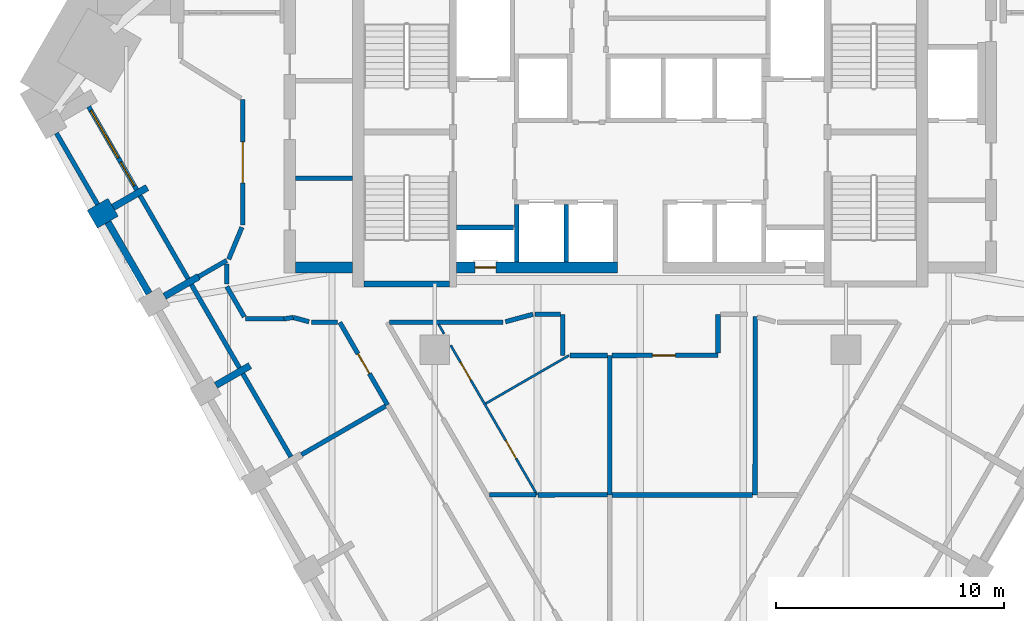
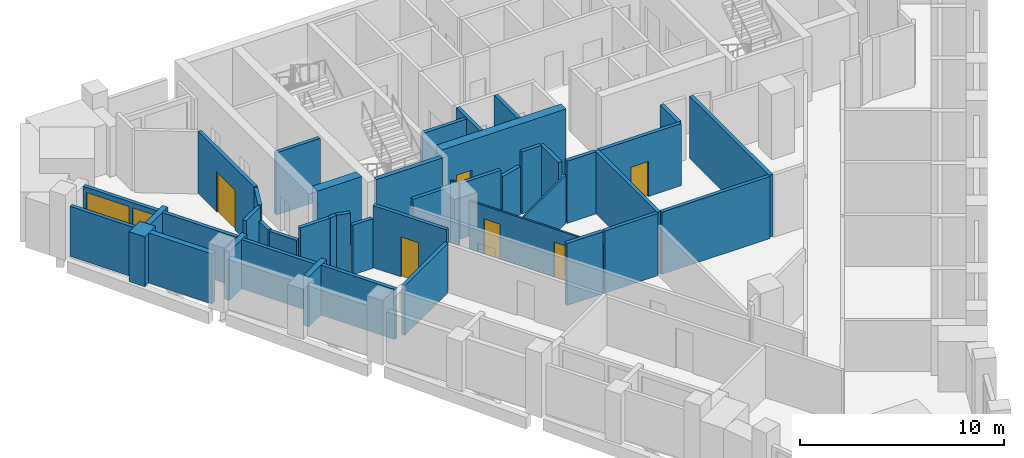
# One storey, part 4 of 9: 43 walls, 7 doors, 1 window, 8 openings.
"""IFC4 building model written with IfcOpenShell, lengths in metres."""

from ifc_helpers import new_model, si_unit, direction, frame, frame_2d, origin, place, context, subcontext, project, spatial, rectangle, extrude, material, layer, layer_set, type_object, element, fill, save


model = new_model("IFC4")

# Units and contexts
model_context = context("Model", 3, precision=1e-05, world=origin(), true_north=direction((0.0, 1.0)))
body_context = subcontext(model_context, "Body", "Model", "MODEL_VIEW")
ifc_project = project(units=[si_unit("LENGTHUNIT", "METRE"), si_unit("AREAUNIT", "SQUARE_METRE"), si_unit("VOLUMEUNIT", "CUBIC_METRE"), si_unit("PLANEANGLEUNIT", "RADIAN"), si_unit("MASSUNIT", "GRAM", prefix="KILO")], contexts=[model_context])

# Site, building, storey
site_placement = place(None, origin())
site = spatial("IfcSite", under=ifc_project, at=site_placement, CompositionType="ELEMENT")
building_placement = place(site_placement, origin())
building = spatial("IfcBuilding", under=site, at=building_placement, Name="Calabash Gate Tower", CompositionType="ELEMENT")
storey_placement = place(building_placement, frame((0.0, 0.0, 156.300048828125)))
storey = spatial("IfcBuildingStorey", under=building, at=storey_placement, Name="L36", CompositionType="ELEMENT", Elevation=156.300048828125)

# Walls
ifc_material_1 = material(Name="Terracotta brick masonry, exposed face", Category="masonry")
ifc_layer_1 = layer(ifc_material_1, 1.050048828125)
ifc_layer_set_1 = layer_set([ifc_layer_1], Name="Brick end wall 1050")
wall_type_1 = type_object("IfcWallType", Name="Brick end wall 1050", PredefinedType="SOLIDWALL", material=ifc_layer_set_1)
wall_1_placement = place(storey_placement, frame((-23.07470703125, 8.737060546875, 0.0), z_axis=(0.0, 0.0, 1.0), x_axis=(-0.86592997719, -0.500165247297, 0.0)))
element("IfcWall", 1, at=wall_1_placement, inside=storey, type_object=wall_type_1, Name="Brick pier S10 SW0.1", PredefinedType="SOLIDWALL", context=body_context, shape_type="SweptSolid", body=[
    extrude(rectangle(XDim=1.050048828125, YDim=0.89990234375, at=frame_2d((0.52490234375, 0.0))), origin(), (0.0, 0.0, 1.0), 3.0),
])
ifc_material_2 = material(Name="Terracotta brick masonry, exposed face", Category="masonry")
ifc_layer_2 = layer(ifc_material_2, 0.300048828125)
ifc_layer_set_2 = layer_set([ifc_layer_2], Name="Brick infill panel wall 300")
wall_type_2 = type_object("IfcWallType", Name="Brick infill panel wall 300", PredefinedType="SOLIDWALL", material=ifc_layer_set_2)
wall_2_placement = place(storey_placement, frame((-23.30419921875, 8.084716796875, 0.0), z_axis=(0.0, 0.0, 1.0), x_axis=(0.499961193289, -0.866047807691, 0.0)))
element("IfcWall", 2, at=wall_2_placement, inside=storey, type_object=wall_type_2, Name="Brick panel S10 SW0.2", PredefinedType="SOLIDWALL", context=body_context, shape_type="SweptSolid", body=[
    extrude(rectangle(XDim=3.599853515625, YDim=0.300048828125, at=frame_2d((1.7998046875, 0.0))), origin(), (0.0, 0.0, 1.0), 3.0),
])
ifc_material_3 = material(Name="Terracotta brick masonry, exposed face", Category="masonry")
ifc_layer_3 = layer(ifc_material_3, 0.300048828125)
ifc_layer_set_3 = layer_set([ifc_layer_3], Name="Brick loggia cheek wall 300")
wall_type_3 = type_object("IfcWallType", Name="Brick loggia cheek wall 300", PredefinedType="SOLIDWALL", material=ifc_layer_set_3)
wall_3_placement = place(storey_placement, frame((-23.07470703125, 8.737060546875, 0.0), z_axis=(0.0, 0.0, 1.0), x_axis=(0.866013532718, 0.500020560727, 0.0)))
element("IfcWall", 3, at=wall_3_placement, inside=storey, type_object=wall_type_3, Name="Loggia cheek S10 SW0.1", PredefinedType="SOLIDWALL", context=body_context, shape_type="SweptSolid", body=[
    extrude(rectangle(XDim=1.72509765625, YDim=0.300048828125, at=frame_2d((0.862548828125, 0.0))), origin(), (0.0, 0.0, 1.0), 3.0),
])
wall_4_placement = place(storey_placement, frame((-19.330810546875, 5.702392578125, 0.0), z_axis=(0.0, 0.0, 1.0), x_axis=(-0.86597814115, -0.500081852351, 0.0)))
element("IfcWall", 4, at=wall_4_placement, inside=storey, type_object=wall_type_3, Name="Loggia cheek S10 SW0.2", PredefinedType="SOLIDWALL", context=body_context, shape_type="SweptSolid", body=[
    extrude(rectangle(XDim=1.724853515625, YDim=0.300048828125, at=frame_2d((0.8623046875, 0.0))), origin(), (0.0, 0.0, 1.0), 2.949951171875),
])
wall_5_placement = place(storey_placement, frame((-18.57470703125, 0.94287109375, 0.0), z_axis=(0.0, 0.0, 1.0), x_axis=(0.866074815912, 0.499914405916, 0.0)))
element("IfcWall", 5, at=wall_5_placement, inside=storey, type_object=wall_type_3, Name="Loggia cheek S10 SW0.3", PredefinedType="SOLIDWALL", context=body_context, shape_type="SweptSolid", body=[
    extrude(rectangle(XDim=1.724853515625, YDim=0.300048828125, at=frame_2d((0.8623046875, 0.0))), origin(), (0.0, 0.0, 1.0), 3.0),
])
ifc_material_4 = material(Name="Gypsum board on steel studs, mineral wool", Category="steel")
ifc_layer_4 = layer(ifc_material_4, 0.199951171875)
ifc_layer_set_4 = layer_set([ifc_layer_4], Name="Core partition 200 gypsum board")
wall_type_4 = type_object("IfcWallType", Name="Core partition 200 gypsum board", PredefinedType="PARTITIONING", material=ifc_layer_set_4)
wall_6_placement = place(storey_placement, frame((-15.10009765625, 10.0126953125, 0.0), z_axis=(0.0, 0.0, 1.0), x_axis=(1.0, 0.0, 0.0)))
element("IfcWall", 6, at=wall_6_placement, inside=storey, type_object=wall_type_4, Name="Core partition", PredefinedType="PARTITIONING", context=body_context, shape_type="SweptSolid", body=[
    extrude(rectangle(XDim=2.5, YDim=0.199951171875, at=frame_2d((1.25, 0.0))), origin(), (0.0, 0.0, 1.0), 3.72998046875),
])
ifc_material_5 = material(Name="Concrete C70/85", Category="concrete")
ifc_layer_5 = layer(ifc_material_5, 0.25)
ifc_layer_set_5 = layer_set([ifc_layer_5], Name="Core wall 250 Concrete C70/85")
wall_type_5 = type_object("IfcWallType", Name="Core wall 250 Concrete C70/85", PredefinedType="SHEAR", material=ifc_layer_set_5)
wall_7_placement = place(storey_placement, frame((-12.10009765625, 5.377685546875, 0.0), z_axis=(0.0, 0.0, 1.0), x_axis=(1.0, 0.0, 0.0)))
element("IfcWall", 7, at=wall_7_placement, inside=storey, type_object=wall_type_5, Name="Core wall Z3-SSW L36", PredefinedType="SHEAR", context=body_context, shape_type="SweptSolid", body=[
    extrude(rectangle(XDim=3.75, YDim=0.25, at=frame_2d((1.875, 0.0))), origin(), (0.0, 0.0, 1.0), 3.89990234375),
])

# Wall, opening, door
ifc_material_6 = material(Name="Concrete C70/85", Category="concrete")
ifc_layer_6 = layer(ifc_material_6, 0.5)
ifc_layer_set_6 = layer_set([ifc_layer_6], Name="Core wall 500 Concrete C70/85")
wall_type_6 = type_object("IfcWallType", Name="Core wall 500 Concrete C70/85", PredefinedType="SHEAR", material=ifc_layer_set_6)
wall_8_placement = place(storey_placement, frame((-8.050048828125, 6.1025390625, 0.0), z_axis=(0.0, 0.0, 1.0), x_axis=(1.0, 0.0, 0.0)))
wall_8 = element("IfcWall", 8, at=wall_8_placement, inside=storey, type_object=wall_type_6, Name="Core wall Z3-SA L36", PredefinedType="SHEAR", context=body_context, shape_type="SweptSolid", body=[
    extrude(rectangle(XDim=7.050048828125, YDim=0.5, at=frame_2d((3.52490234375, 0.0))), origin(), (0.0, 0.0, 1.0), 3.89990234375),
])
opening_1_placement = place(wall_8_placement, frame((0.824951171875, 0.0, 0.0)))
opening_1 = element("IfcOpeningElement", 9, at=opening_1_placement, cuts=wall_8, Name="Opening O2-014", PredefinedType="OPENING", context=body_context, shape_type="SweptSolid", body=[
    extrude(rectangle(XDim=0.89990234375, YDim=2.10009765625, at=frame_2d((0.449951171875, 1.050048828125))), frame((0.0, 0.260009765625, 0.0), z_axis=(0.0, -1.0, 0.0), x_axis=(1.0, 0.0, 0.0)), (0.0, 0.0, 1.0), 0.52001953125),
])
ifc_material_7 = material(Name="Steel fire door set with fire-resisting glazing", Category="steel")
door_type_1 = type_object("IfcDoorType", Name="Fire door D07 900x2100 FD90", OperationType="NOTDEFINED", PredefinedType="DOOR", material=ifc_material_7)
door_1_placement = place(opening_1_placement, origin())
door_1 = element("IfcDoor", 10, at=door_1_placement, inside=storey, type_object=door_type_1, Name="Electrical Riser W door", OperationType="SINGLE_SWING_LEFT", OverallHeight=2.10009765625, OverallWidth=0.89990234375, PredefinedType="DOOR", context=body_context, shape_type="SweptSolid", body=[
    extrude(rectangle(XDim=0.89990234375, YDim=2.10009765625, at=frame_2d((0.449951171875, 1.050048828125))), frame((0.0, 0.02490234375, 0.0), z_axis=(0.0, -1.0, 0.0), x_axis=(1.0, 0.0, 0.0)), (0.0, 0.0, 1.0), 0.050048828125),
])
fill(opening_1, door_1)

# Walls
wall_9_placement = place(storey_placement, frame((-12.60009765625, 6.1025390625, 0.0), z_axis=(0.0, 0.0, 1.0), x_axis=(-1.0, 0.0, 0.0)))
element("IfcWall", 11, at=wall_9_placement, inside=storey, type_object=wall_type_6, Name="Core wall Z3-SW L36", PredefinedType="SHEAR", context=body_context, shape_type="SweptSolid", body=[
    extrude(rectangle(XDim=2.5, YDim=0.5, at=frame_2d((1.25, 0.0))), origin(), (0.0, 0.0, 1.0), 3.89990234375),
])
ifc_material_8 = material(Name="Gypsum board on steel studs, mineral wool", Category="steel")
ifc_layer_7 = layer(ifc_material_8, 0.10009765625)
ifc_layer_set_7 = layer_set([ifc_layer_7], Name="Partition 100 gypsum board")
wall_type_7 = type_object("IfcWallType", Name="Partition 100 gypsum board", PredefinedType="PARTITIONING", material=ifc_layer_set_7)
wall_10_placement = place(storey_placement, frame((-6.76708984375, 0.145263671875, 0.0), z_axis=(0.0, 0.0, 1.0), x_axis=(0.865929781716, 0.500165585718, 0.0)))
element("IfcWall", 12, at=wall_10_placement, inside=storey, type_object=wall_type_7, Name="Partition", PredefinedType="PARTITIONING", context=body_context, shape_type="SweptSolid", body=[
    extrude(rectangle(XDim=4.21240234375, YDim=0.10009765625, at=frame_2d((2.106201171875, 0.0))), origin(), (0.0, 0.0, 1.0), 2.884033203125),
])

# Wall, openings, doors
wall_11_placement = place(storey_placement, frame((-8.300048828125, 2.697021484375, 0.0), z_axis=(0.0, 0.0, 1.0), x_axis=(0.500524865803, -0.86572216023, 0.0)))
wall_11 = element("IfcWall", 13, at=wall_11_placement, inside=storey, type_object=wall_type_7, Name="Partition", PredefinedType="PARTITIONING", context=body_context, shape_type="SweptSolid", body=[
    extrude(rectangle(XDim=7.566162109375, YDim=0.10009765625, at=frame_2d((3.783203125, 0.0))), origin(), (0.0, 0.0, 1.0), 2.884033203125),
])
opening_2_placement = place(wall_11_placement, frame((0.858154296875, 0.0, 0.0)))
opening_2 = element("IfcOpeningElement", 14, at=opening_2_placement, cuts=wall_11, Name="Opening 36-38-017", PredefinedType="OPENING", context=body_context, shape_type="SweptSolid", body=[
    extrude(rectangle(XDim=0.89990234375, YDim=2.10009765625, at=frame_2d((0.449951171875, 1.050048828125))), frame((0.0, 0.06005859375, 0.0), z_axis=(0.0, -1.0, 0.0), x_axis=(1.0, 0.0, 0.0)), (0.0, 0.0, 1.0), 0.1201171875),
])
opening_3_placement = place(wall_11_placement, frame((4.8203125, 0.0, 0.0)))
opening_3 = element("IfcOpeningElement", 15, at=opening_3_placement, cuts=wall_11, Name="Opening 36-38-018", PredefinedType="OPENING", context=body_context, shape_type="SweptSolid", body=[
    extrude(rectangle(XDim=0.89990234375, YDim=2.10009765625, at=frame_2d((0.449951171875, 1.050048828125))), frame((0.0, 0.06005859375, 0.0), z_axis=(0.0, -1.0, 0.0), x_axis=(1.0, 0.0, 0.0)), (0.0, 0.0, 1.0), 0.1201171875),
])
ifc_material_9 = material(Name="Painted timber door", Category="wood")
door_type_2 = type_object("IfcDoorType", Name="WD1 WC door 900x2100", OperationType="NOTDEFINED", PredefinedType="DOOR", material=ifc_material_9)
door_2_placement = place(opening_2_placement, origin())
door_2 = element("IfcDoor", 16, at=door_2_placement, inside=storey, type_object=door_type_2, Name="WC door", OperationType="SINGLE_SWING_LEFT", OverallHeight=2.10009765625, OverallWidth=0.89990234375, PredefinedType="DOOR", context=body_context, shape_type="SweptSolid", body=[
    extrude(rectangle(XDim=0.89990234375, YDim=2.10009765625, at=frame_2d((0.449951171875, 1.050048828125))), frame((0.0, 0.02490234375, 0.0), z_axis=(0.0, -1.0, 0.0), x_axis=(1.0, 0.0, 0.0)), (0.0, 0.0, 1.0), 0.050048828125),
])
fill(opening_2, door_2)
door_3_placement = place(opening_3_placement, origin())
door_3 = element("IfcDoor", 17, at=door_3_placement, inside=storey, type_object=door_type_2, Name="WC door", OperationType="SINGLE_SWING_RIGHT", OverallHeight=2.10009765625, OverallWidth=0.89990234375, PredefinedType="DOOR", context=body_context, shape_type="SweptSolid", body=[
    extrude(rectangle(XDim=0.89990234375, YDim=2.10009765625, at=frame_2d((0.449951171875, 1.050048828125))), frame((0.0, 0.02490234375, 0.0), z_axis=(0.0, -1.0, 0.0), x_axis=(1.0, 0.0, 0.0)), (0.0, 0.0, 1.0), 0.050048828125),
])
fill(opening_3, door_3)

# Walls
wall_12_placement = place(storey_placement, frame((-8.8271484375, 3.613037109375, 0.0), z_axis=(0.0, 0.0, 1.0), x_axis=(0.497353240991, -0.867548127585, 0.0)))
element("IfcWall", 18, at=wall_12_placement, inside=storey, type_object=wall_type_7, Name="Partition", PredefinedType="PARTITIONING", context=body_context, shape_type="SweptSolid", body=[
    extrude(rectangle(XDim=0.47607421875, YDim=0.10009765625, at=frame_2d((0.238037109375, 0.0))), origin(), (0.0, 0.0, 1.0), 3.72998046875),
])
ifc_material_10 = material(Name="Gypsum board on steel studs, mineral wool", Category="steel")
ifc_layer_8 = layer(ifc_material_10, 0.199951171875)
ifc_layer_set_8 = layer_set([ifc_layer_8], Name="Partition 200 gypsum board EI 60")
wall_type_8 = type_object("IfcWallType", Name="Partition 200 gypsum board EI 60", PredefinedType="PARTITIONING", material=ifc_layer_set_8)
wall_13_placement = place(storey_placement, frame((-4.466796875, -3.85546875, 0.0), z_axis=(0.0, 0.0, 1.0), x_axis=(0.999999841097, 0.000563743166, 0.0)))
element("IfcWall", 19, at=wall_13_placement, inside=storey, type_object=wall_type_8, Name="Partition", PredefinedType="PARTITIONING", context=body_context, shape_type="SweptSolid", body=[
    extrude(rectangle(XDim=3.031494140625, YDim=0.199951171875, at=frame_2d((1.515625, 0.0))), origin(), (0.0, 0.0, 1.0), 3.72998046875),
])
wall_14_placement = place(storey_placement, frame((-1.231689453125, -3.857421875, 0.0), z_axis=(0.0, 0.0, 1.0), x_axis=(0.999999961423, 0.000277766745, 0.0)))
element("IfcWall", 20, at=wall_14_placement, inside=storey, type_object=wall_type_8, Name="Partition", PredefinedType="PARTITIONING", context=body_context, shape_type="SweptSolid", body=[
    extrude(rectangle(XDim=6.152587890625, YDim=0.199951171875, at=frame_2d((3.076171875, 0.0))), origin(), (0.0, 0.0, 1.0), 3.72998046875),
])
wall_15_placement = place(storey_placement, frame((-6.609619140625, -3.85400390625, 0.0), z_axis=(0.0, 0.0, 1.0), x_axis=(0.999999992849, 0.000119588614, 0.0)))
element("IfcWall", 21, at=wall_15_placement, inside=storey, type_object=wall_type_8, Name="Partition", PredefinedType="PARTITIONING", context=body_context, shape_type="SweptSolid", body=[
    extrude(rectangle(XDim=2.04150390625, YDim=0.199951171875, at=frame_2d((1.020751953125, 0.0))), origin(), (0.0, 0.0, 1.0), 3.72998046875),
])
wall_16_placement = place(storey_placement, frame((-1.33544921875, -3.853759765625, 0.0), z_axis=(0.0, 0.0, 1.0), x_axis=(0.0, 1.0, 0.0)))
element("IfcWall", 22, at=wall_16_placement, inside=storey, type_object=wall_type_8, Name="Partition", PredefinedType="PARTITIONING", context=body_context, shape_type="SweptSolid", body=[
    extrude(rectangle(XDim=6.104248046875, YDim=0.199951171875, at=frame_2d((3.05224609375, 0.0))), origin(), (0.0, 0.0, 1.0), 3.72998046875),
])
wall_17_placement = place(storey_placement, frame((-14.8310546875, -2.09130859375, 0.0), z_axis=(0.0, 0.0, 1.0), x_axis=(0.865857330643, 0.500290998291, 0.0)))
element("IfcWall", 23, at=wall_17_placement, inside=storey, type_object=wall_type_8, Name="Partition", PredefinedType="PARTITIONING", context=body_context, shape_type="SweptSolid", body=[
    extrude(rectangle(XDim=4.24951171875, YDim=0.199951171875, at=frame_2d((2.124755859375, 0.0))), origin(), (0.0, 0.0, 1.0), 2.973388671875),
])

# Wall, opening, door
wall_18_placement = place(storey_placement, frame((-13.152099609375, 3.699462890625, 0.0), z_axis=(0.0, 0.0, 1.0), x_axis=(0.499717391966, -0.866188506139, 0.0)))
wall_18 = element("IfcWall", 24, at=wall_18_placement, inside=storey, type_object=wall_type_8, Name="Partition", PredefinedType="PARTITIONING", context=body_context, shape_type="SweptSolid", body=[
    extrude(rectangle(XDim=4.17578125, YDim=0.199951171875, at=frame_2d((2.087890625, 0.0))), origin(), (0.0, 0.0, 1.0), 3.72998046875),
])
opening_4_placement = place(wall_18_placement, frame((1.587890625, 0.0, 0.0)))
opening_4 = element("IfcOpeningElement", 25, at=opening_4_placement, cuts=wall_18, Name="Opening 36-38-012", PredefinedType="OPENING", context=body_context, shape_type="SweptSolid", body=[
    extrude(rectangle(XDim=1.0, YDim=2.39990234375, at=frame_2d((0.5, 1.199951171875))), frame((0.0, 0.10986328125, 0.0), z_axis=(0.0, -1.0, 0.0), x_axis=(1.0, 0.0, 0.0)), (0.0, 0.0, 1.0), 0.219970703125),
])
ifc_material_11 = material(Name="Painted timber door", Category="wood")
door_type_3 = type_object("IfcDoorType", Name="OD2 Glazed office door 1000x2400", OperationType="NOTDEFINED", PredefinedType="DOOR", material=ifc_material_11)
door_4_placement = place(opening_4_placement, origin())
door_4 = element("IfcDoor", 26, at=door_4_placement, inside=storey, type_object=door_type_3, Name="Glazed office door", OperationType="SINGLE_SWING_RIGHT", OverallHeight=2.39990234375, OverallWidth=1.0, PredefinedType="DOOR", context=body_context, shape_type="SweptSolid", body=[
    extrude(rectangle(XDim=1.0, YDim=2.39990234375, at=frame_2d((0.5, 1.199951171875))), frame((0.0, 0.02490234375, 0.0), z_axis=(0.0, -1.0, 0.0), x_axis=(1.0, 0.0, 0.0)), (0.0, 0.0, 1.0), 0.050048828125),
])
fill(opening_4, door_4)

# Walls
wall_19_placement = place(storey_placement, frame((-3.402099609375, 4.050537109375, 0.0), z_axis=(0.0, 0.0, 1.0), x_axis=(0.001086217961, -0.999999410065, 0.0)))
element("IfcWall", 27, at=wall_19_placement, inside=storey, type_object=wall_type_8, Name="Partition", PredefinedType="PARTITIONING", context=body_context, shape_type="SweptSolid", body=[
    extrude(rectangle(XDim=1.798095703125, YDim=0.199951171875, at=frame_2d((0.89892578125, 0.0))), origin(), (0.0, 0.0, 1.0), 3.72998046875),
])
wall_20_placement = place(storey_placement, frame((-3.07421875, 2.25048828125, 0.0), z_axis=(0.0, 0.0, 1.0), x_axis=(1.0, 0.0, 0.0)))
element("IfcWall", 28, at=wall_20_placement, inside=storey, type_object=wall_type_8, Name="Partition", PredefinedType="PARTITIONING", context=body_context, shape_type="SweptSolid", body=[
    extrude(rectangle(XDim=1.638916015625, YDim=0.199951171875, at=frame_2d((0.8193359375, 0.0))), origin(), (0.0, 0.0, 1.0), 3.72998046875),
])

# Wall, opening, door
wall_21_placement = place(storey_placement, frame((-1.2333984375, 2.25048828125, 0.0), z_axis=(0.0, 0.0, 1.0), x_axis=(0.999999911161, 0.000421518483, 0.0)))
wall_21 = element("IfcWall", 29, at=wall_21_placement, inside=storey, type_object=wall_type_8, Name="Partition", PredefinedType="PARTITIONING", context=body_context, shape_type="SweptSolid", body=[
    extrude(rectangle(XDim=4.633544921875, YDim=0.199951171875, at=frame_2d((2.31689453125, 0.0))), origin(), (0.0, 0.0, 1.0), 3.72998046875),
])
opening_5_placement = place(wall_21_placement, frame((1.765625, 0.0, 0.0)))
opening_5 = element("IfcOpeningElement", 30, at=opening_5_placement, cuts=wall_21, Name="Opening 36-38-006", PredefinedType="OPENING", context=body_context, shape_type="SweptSolid", body=[
    extrude(rectangle(XDim=1.0, YDim=2.10009765625, at=frame_2d((0.5, 1.050048828125))), frame((0.0, 0.10986328125, 0.0), z_axis=(0.0, -1.0, 0.0), x_axis=(1.0, 0.0, 0.0)), (0.0, 0.0, 1.0), 0.219970703125),
])
ifc_material_12 = material(Name="Steel fire door set with fire-resisting glazing", Category="steel")
door_type_4 = type_object("IfcDoorType", Name="LD2 Meeting room door 1000x2100", OperationType="NOTDEFINED", PredefinedType="DOOR", material=ifc_material_12)
door_5_placement = place(opening_5_placement, origin())
door_5 = element("IfcDoor", 31, at=door_5_placement, inside=storey, type_object=door_type_4, Name="Meeting room door", OperationType="SINGLE_SWING_LEFT", OverallHeight=2.10009765625, OverallWidth=1.0, PredefinedType="DOOR", context=body_context, shape_type="SweptSolid", body=[
    extrude(rectangle(XDim=1.0, YDim=2.10009765625, at=frame_2d((0.5, 1.050048828125))), frame((0.0, 0.02490234375, 0.0), z_axis=(0.0, -1.0, 0.0), x_axis=(1.0, 0.0, 0.0)), (0.0, 0.0, 1.0), 0.050048828125),
])
fill(opening_5, door_5)

# Walls
wall_22_placement = place(storey_placement, frame((-14.39990234375, 3.699462890625, 0.0), z_axis=(0.0, 0.0, 1.0), x_axis=(1.0, 0.0, 0.0)))
element("IfcWall", 32, at=wall_22_placement, inside=storey, type_object=wall_type_8, Name="Partition", PredefinedType="PARTITIONING", context=body_context, shape_type="SweptSolid", body=[
    extrude(rectangle(XDim=1.14794921875, YDim=0.199951171875, at=frame_2d((0.573974609375, 0.0))), origin(), (0.0, 0.0, 1.0), 2.973388671875),
])
wall_23_placement = place(storey_placement, frame((-10.972900390625, 3.69970703125, 0.0), z_axis=(0.0, 0.0, 1.0), x_axis=(1.0, 0.0, 0.0)))
element("IfcWall", 33, at=wall_23_placement, inside=storey, type_object=wall_type_8, Name="Partition", PredefinedType="PARTITIONING", context=body_context, shape_type="SweptSolid", body=[
    extrude(rectangle(XDim=4.972900390625, YDim=0.199951171875, at=frame_2d((2.486328125, 0.0))), origin(), (0.0, 0.0, 1.0), 3.33154296875),
])
wall_24_placement = place(storey_placement, frame((-15.193359375, 3.91455078125, 0.0), z_axis=(0.0, 0.0, 1.0), x_axis=(0.965137431954, -0.26174364833, 0.0)))
element("IfcWall", 34, at=wall_24_placement, inside=storey, type_object=wall_type_8, Name="Partition", PredefinedType="PARTITIONING", context=body_context, shape_type="SweptSolid", body=[
    extrude(rectangle(XDim=0.721923828125, YDim=0.199951171875, at=frame_2d((0.36083984375, 0.0))), origin(), (0.0, 0.0, 1.0), 3.72998046875),
])
wall_25_placement = place(storey_placement, frame((-17.281494140625, 3.85205078125, 0.0), z_axis=(0.0, 0.0, 1.0), x_axis=(1.0, 0.0, 0.0)))
element("IfcWall", 35, at=wall_25_placement, inside=storey, type_object=wall_type_8, Name="Partition", PredefinedType="PARTITIONING", context=body_context, shape_type="SweptSolid", body=[
    extrude(rectangle(XDim=1.681396484375, YDim=0.199951171875, at=frame_2d((0.8408203125, 0.0))), origin(), (0.0, 0.0, 1.0), 3.72998046875),
])
wall_26_placement = place(storey_placement, frame((-15.60009765625, 3.85205078125, 0.0), z_axis=(0.0, 0.0, 1.0), x_axis=(0.988399116328, 0.15187885581, 0.0)))
element("IfcWall", 36, at=wall_26_placement, inside=storey, type_object=wall_type_8, Name="Partition", PredefinedType="PARTITIONING", context=body_context, shape_type="SweptSolid", body=[
    extrude(rectangle(XDim=0.41162109375, YDim=0.199951171875, at=frame_2d((0.205810546875, 0.0))), origin(), (0.0, 0.0, 1.0), 3.72998046875),
])
wall_27_placement = place(storey_placement, frame((-18.1005859375, 5.2705078125, 0.0), z_axis=(0.0, 0.0, 1.0), x_axis=(0.500065993159, -0.865987299264, 0.0)))
element("IfcWall", 37, at=wall_27_placement, inside=storey, type_object=wall_type_8, Name="Partition", PredefinedType="PARTITIONING", context=body_context, shape_type="SweptSolid", body=[
    extrude(rectangle(XDim=1.537841796875, YDim=0.199951171875, at=frame_2d((0.76904296875, 0.0))), origin(), (0.0, 0.0, 1.0), 2.949951171875),
])
wall_28_placement = place(storey_placement, frame((5.02197265625, -3.85546875, 0.0), z_axis=(0.0, 0.0, 1.0), x_axis=(0.000218538286, 0.999999976121, 0.0)))
element("IfcWall", 38, at=wall_28_placement, inside=storey, type_object=wall_type_8, Name="Partition", PredefinedType="PARTITIONING", context=body_context, shape_type="SweptSolid", body=[
    extrude(rectangle(XDim=7.820068359375, YDim=0.199951171875, at=frame_2d((3.91015625, 0.0))), origin(), (0.0, 0.0, 1.0), 3.72998046875),
])
wall_29_placement = place(storey_placement, frame((-5.903564453125, 3.72607421875, 0.0), z_axis=(0.0, 0.0, 1.0), x_axis=(0.965137813174, 0.26174224264, 0.0)))
element("IfcWall", 39, at=wall_29_placement, inside=storey, type_object=wall_type_8, Name="Partition", PredefinedType="PARTITIONING", context=body_context, shape_type="SweptSolid", body=[
    extrude(rectangle(XDim=1.2470703125, YDim=0.199951171875, at=frame_2d((0.62353515625, 0.0))), origin(), (0.0, 0.0, 1.0), 2.884033203125),
])
wall_30_placement = place(storey_placement, frame((-4.60009765625, 4.05224609375, 0.0), z_axis=(0.0, 0.0, 1.0), x_axis=(0.999999110322, -0.001333925003, 0.0)))
element("IfcWall", 40, at=wall_30_placement, inside=storey, type_object=wall_type_8, Name="Partition", PredefinedType="PARTITIONING", context=body_context, shape_type="SweptSolid", body=[
    extrude(rectangle(XDim=1.09814453125, YDim=0.199951171875, at=frame_2d((0.549072265625, 0.0))), origin(), (0.0, 0.0, 1.0), 3.72998046875),
])
wall_31_placement = place(storey_placement, frame((3.400146484375, 2.352294921875, 0.0), z_axis=(0.0, 0.0, 1.0), x_axis=(0.001150085496, 0.999999338651, 0.0)))
element("IfcWall", 41, at=wall_31_placement, inside=storey, type_object=wall_type_8, Name="Partition", PredefinedType="PARTITIONING", context=body_context, shape_type="SweptSolid", body=[
    extrude(rectangle(XDim=1.6982421875, YDim=0.199951171875, at=frame_2d((0.84912109375, 0.0))), origin(), (0.0, 0.0, 1.0), 3.72998046875),
])
wall_32_placement = place(storey_placement, frame((-18.1005859375, 6.252685546875, 0.0), z_axis=(0.0, 0.0, 1.0), x_axis=(0.0, -1.0, 0.0)))
element("IfcWall", 42, at=wall_32_placement, inside=storey, type_object=wall_type_8, Name="Partition", PredefinedType="PARTITIONING", context=body_context, shape_type="SweptSolid", body=[
    extrude(rectangle(XDim=0.882080078125, YDim=0.199951171875, at=frame_2d((0.44091796875, 0.0))), origin(), (0.0, 0.0, 1.0), 2.949951171875),
])
wall_33_placement = place(storey_placement, frame((-19.330810546875, 5.7021484375, 0.0), z_axis=(0.0, 0.0, 1.0), x_axis=(0.866606662927, 0.498991875455, 0.0)))
element("IfcWall", 43, at=wall_33_placement, inside=storey, type_object=wall_type_8, Name="Partition", PredefinedType="PARTITIONING", context=body_context, shape_type="SweptSolid", body=[
    extrude(rectangle(XDim=1.41796875, YDim=0.199951171875, at=frame_2d((0.708984375, 0.0))), origin(), (0.0, 0.0, 1.0), 3.72998046875),
])
wall_34_placement = place(storey_placement, frame((-18.01611328125, 6.46142578125, 0.0), z_axis=(0.0, 0.0, 1.0), x_axis=(0.381577373497, 0.924336901803, 0.0)))
element("IfcWall", 44, at=wall_34_placement, inside=storey, type_object=wall_type_8, Name="Partition", PredefinedType="PARTITIONING", context=body_context, shape_type="SweptSolid", body=[
    extrude(rectangle(XDim=1.51318359375, YDim=0.199951171875, at=frame_2d((0.756591796875, 0.0))), origin(), (0.0, 0.0, 1.0), 3.72998046875),
])

# Wall, opening, door
wall_35_placement = place(storey_placement, frame((-17.400390625, 7.95263671875, 0.0), z_axis=(0.0, 0.0, 1.0), x_axis=(0.0, 1.0, 0.0)))
wall_35 = element("IfcWall", 45, at=wall_35_placement, inside=storey, type_object=wall_type_8, Name="Partition", PredefinedType="PARTITIONING", context=body_context, shape_type="SweptSolid", body=[
    extrude(rectangle(XDim=5.499755859375, YDim=0.199951171875, at=frame_2d((2.75, 0.0))), origin(), (0.0, 0.0, 1.0), 3.72998046875),
])
opening_6_placement = place(wall_35_placement, frame((1.849853515625, 0.0, 0.0)))
opening_6 = element("IfcOpeningElement", 46, at=opening_6_placement, cuts=wall_35, Name="Opening 36-38-011", PredefinedType="OPENING", context=body_context, shape_type="SweptSolid", body=[
    extrude(rectangle(XDim=1.800048828125, YDim=2.39990234375, at=frame_2d((0.89990234375, 1.199951171875))), frame((0.0, 0.10986328125, 0.0), z_axis=(0.0, -1.0, 0.0), x_axis=(1.0, 0.0, 0.0)), (0.0, 0.0, 1.0), 0.219970703125),
])
ifc_material_13 = material(Name="Steel fire door set with fire-resisting glazing", Category="steel")
door_type_5 = type_object("IfcDoorType", Name="OD5 Open office double door 1800x2400", OperationType="NOTDEFINED", PredefinedType="DOOR", material=ifc_material_13)
door_6_placement = place(opening_6_placement, origin())
door_6 = element("IfcDoor", 47, at=door_6_placement, inside=storey, type_object=door_type_5, Name="Open office double door", OperationType="DOUBLE_DOOR_SINGLE_SWING", OverallHeight=2.39990234375, OverallWidth=1.800048828125, PredefinedType="DOOR", context=body_context, shape_type="SweptSolid", body=[
    extrude(rectangle(XDim=1.800048828125, YDim=2.39990234375, at=frame_2d((0.89990234375, 1.199951171875))), frame((0.0, 0.02490234375, 0.0), z_axis=(0.0, -1.0, 0.0), x_axis=(1.0, 0.0, 0.0)), (0.0, 0.0, 1.0), 0.050048828125),
])
fill(opening_6, door_6)

# Walls
ifc_material_14 = material(Name="Concrete C40/50", Category="concrete")
ifc_layer_9 = layer(ifc_material_14, 0.199951171875)
ifc_layer_set_9 = layer_set([ifc_layer_9], Name="Shaft wall 200 Concrete C40/50")
wall_type_9 = type_object("IfcWallType", Name="Shaft wall 200 Concrete C40/50", PredefinedType="SOLIDWALL", material=ifc_layer_set_9)
for number, where, z_axis, x_axis, name in (
    (48, (-5.39990234375, 6.3525390625, 0.0), (0.0, 0.0, 1.0), (0.0, 1.0, 0.0), "Shaft wall"),
    (49, (-3.25, 6.3525390625, 0.0), (0.0, 0.0, 1.0), (0.0, 1.0, 0.0), "Shaft wall"),
    (50, (-8.050048828125, 7.8525390625, 0.0), (0.0, 0.0, 1.0), (1.0, 0.0, 0.0), "Shaft wall"),
):
    element("IfcWall", number, at=place(storey_placement, frame(where, z_axis=z_axis, x_axis=x_axis)), inside=storey, type_object=wall_type_9, Name=name, PredefinedType="SOLIDWALL", context=body_context, shape_type="SweptSolid", body=[
        extrude(rectangle(XDim=2.5, YDim=0.199951171875, at=frame_2d((1.25, 0.0))), origin(), (0.0, 0.0, 1.0), 3.72998046875),
    ])
ifc_material_15 = material(Name="Terracotta brick masonry, perforated", Category="masonry")
ifc_layer_10 = layer(ifc_material_15, 0.199951171875)
ifc_layer_set_10 = layer_set([ifc_layer_10], Name="Terracotta jaali screen B")
wall_type_10 = type_object("IfcWallType", Name="Terracotta jaali screen B", PredefinedType="SOLIDWALL", material=ifc_layer_set_10)
wall_36_placement = place(storey_placement, frame((-25.55419921875, 11.98193359375, 0.0), z_axis=(0.0, 0.0, 1.0), x_axis=(0.499961193289, -0.866047807691, 0.0)))
element("IfcWall", 51, at=wall_36_placement, inside=storey, type_object=wall_type_10, Name="SCREEN B S10 SW0.1", PredefinedType="SOLIDWALL", context=body_context, shape_type="SweptSolid", body=[
    extrude(rectangle(XDim=3.599853515625, YDim=0.199951171875, at=frame_2d((1.7998046875, 0.0))), origin(), (0.0, 0.0, 1.0), 3.0),
])

# Wall, openings, door, window
ifc_material_16 = material(Name="Aluminium framed window wall with insulated spandrel", Category="aluminium")
ifc_layer_11 = layer(ifc_material_16, 0.199951171875)
ifc_layer_set_11 = layer_set([ifc_layer_11], Name="Window wall 200")
wall_type_11 = type_object("IfcWallType", Name="Window wall 200", PredefinedType="ELEMENTEDWALL", material=ifc_layer_set_11)
wall_37_placement = place(storey_placement, frame((-24.1455078125, 13.1416015625, 0.0), z_axis=(0.0, 0.0, 1.0), x_axis=(0.500027713859, -0.866009402589, 0.0)))
wall_37 = element("IfcWall", 52, at=wall_37_placement, inside=storey, type_object=wall_type_11, Name="Window wall S10 SW0.1", PredefinedType="ELEMENTEDWALL", context=body_context, shape_type="SweptSolid", body=[
    extrude(rectangle(XDim=4.199951171875, YDim=0.199951171875, at=frame_2d((2.10009765625, 0.0))), origin(), (0.0, 0.0, 1.0), 3.0),
])
opening_7_placement = place(wall_37_placement, frame((0.199951171875, 0.0, 0.449951171875)))
opening_7 = element("IfcOpeningElement", 53, at=opening_7_placement, cuts=wall_37, Name="Opening OW1", PredefinedType="OPENING", context=body_context, shape_type="SweptSolid", body=[
    extrude(rectangle(XDim=2.39990234375, YDim=2.25, at=frame_2d((1.199951171875, 1.125))), frame((0.0, 0.10986328125, 0.0), z_axis=(0.0, -1.0, 0.0), x_axis=(1.0, 0.0, 0.0)), (0.0, 0.0, 1.0), 0.219970703125),
])
opening_8_placement = place(wall_37_placement, frame((2.800048828125, 0.0, 0.0)))
opening_8 = element("IfcOpeningElement", 54, at=opening_8_placement, cuts=wall_37, Name="Opening O2-022", PredefinedType="OPENING", context=body_context, shape_type="SweptSolid", body=[
    extrude(rectangle(XDim=1.199951171875, YDim=2.699951171875, at=frame_2d((0.60009765625, 1.35009765625))), frame((0.0, 0.10986328125, 0.0), z_axis=(0.0, -1.0, 0.0), x_axis=(1.0, 0.0, 0.0)), (0.0, 0.0, 1.0), 0.219970703125),
])
ifc_material_17 = material(Name="Anodised aluminium frame, bronze finish, impact-rated laminated clear glazing", Category="aluminium")
door_type_6 = type_object("IfcDoorType", Name="Loggia door DO1 1200x2700", OperationType="SLIDING_TO_LEFT", PredefinedType="DOOR", material=ifc_material_17)
door_7_placement = place(opening_8_placement, origin())
door_7 = element("IfcDoor", 55, at=door_7_placement, inside=storey, type_object=door_type_6, Name="Loggia door S10 SW0.1", OperationType="SINGLE_SWING_LEFT", OverallHeight=2.699951171875, OverallWidth=1.199951171875, PredefinedType="DOOR", context=body_context, shape_type="SweptSolid", body=[
    extrude(rectangle(XDim=1.199951171875, YDim=2.699951171875, at=frame_2d((0.60009765625, 1.35009765625))), frame((0.0, 0.02490234375, 0.0), z_axis=(0.0, -1.0, 0.0), x_axis=(1.0, 0.0, 0.0)), (0.0, 0.0, 1.0), 0.050048828125),
])
fill(opening_8, door_7)
ifc_material_18 = material(Name="Anodised aluminium frame, bronze finish, impact-rated laminated clear glazing", Category="aluminium")
window_type = type_object("IfcWindowType", Name="Window OW1 2400x2250", PartitioningType="DOUBLE_PANEL_VERTICAL", PredefinedType="WINDOW", material=ifc_material_18)
window_placement = place(opening_7_placement, origin())
window = element("IfcWindow", 56, at=window_placement, inside=storey, type_object=window_type, Name="Window OW1 S10 SW0.1", OverallHeight=2.25, OverallWidth=2.39990234375, PartitioningType="SINGLE_PANEL", PredefinedType="WINDOW", context=body_context, shape_type="SweptSolid", body=[
    extrude(rectangle(XDim=2.39990234375, YDim=2.25, at=frame_2d((1.199951171875, 1.125))), frame((0.0, 0.030029296875, 0.0), z_axis=(0.0, -1.0, 0.0), x_axis=(1.0, 0.0, 0.0)), (0.0, 0.0, 1.0), 0.06005859375),
])
fill(opening_7, window)

# Walls
wall_38_placement = place(storey_placement, frame((-21.8955078125, 9.24462890625, 0.0), z_axis=(0.0, 0.0, 1.0), x_axis=(0.500002543286, -0.866023935413, 0.0)))
element("IfcWall", 57, at=wall_38_placement, inside=storey, type_object=wall_type_11, Name="Window wall S10 SW0.2", PredefinedType="ELEMENTEDWALL", context=body_context, shape_type="SweptSolid", body=[
    extrude(rectangle(XDim=4.2001953125, YDim=0.199951171875, at=frame_2d((2.10009765625, 0.0))), origin(), (0.0, 0.0, 1.0), 3.0),
])
wall_39_placement = place(storey_placement, frame((-19.6455078125, 5.347412109375, 0.0), z_axis=(0.0, 0.0, 1.0), x_axis=(0.500027713859, -0.866009402589, 0.0)))
element("IfcWall", 58, at=wall_39_placement, inside=storey, type_object=wall_type_11, Name="Window wall S10 SW0.3", PredefinedType="ELEMENTEDWALL", context=body_context, shape_type="SweptSolid", body=[
    extrude(rectangle(XDim=4.199951171875, YDim=0.199951171875, at=frame_2d((2.10009765625, 0.0))), origin(), (0.0, 0.0, 1.0), 2.949951171875),
])
wall_40_placement = place(storey_placement, frame((-17.3955078125, 1.450439453125, 0.0), z_axis=(0.0, 0.0, 1.0), x_axis=(0.500002543286, -0.866023935413, 0.0)))
element("IfcWall", 59, at=wall_40_placement, inside=storey, type_object=wall_type_11, Name="Window wall S10 SW0.4", PredefinedType="ELEMENTEDWALL", context=body_context, shape_type="SweptSolid", body=[
    extrude(rectangle(XDim=4.2001953125, YDim=0.199951171875, at=frame_2d((2.10009765625, 0.0))), origin(), (0.0, 0.0, 1.0), 3.0),
])

save(model, "model.ifc")
